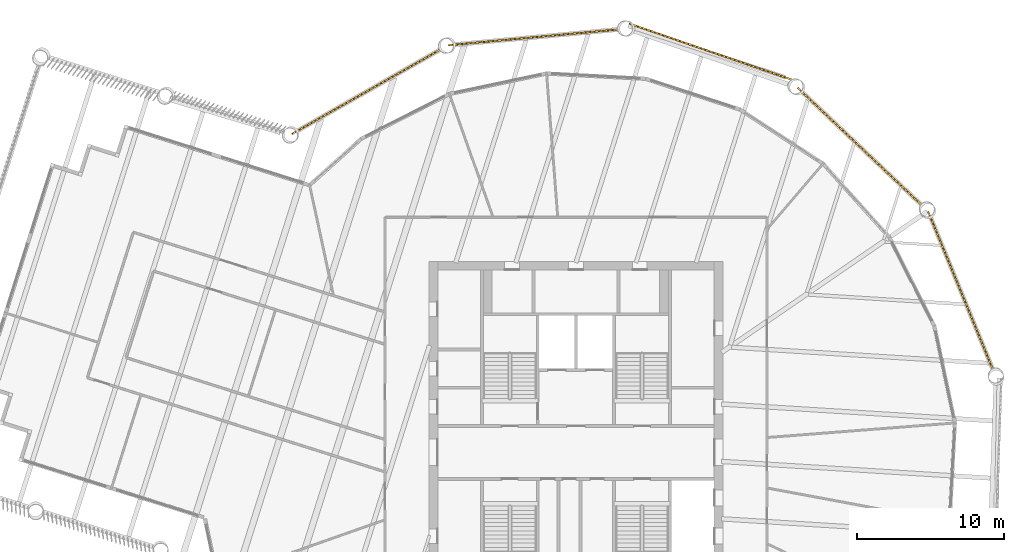
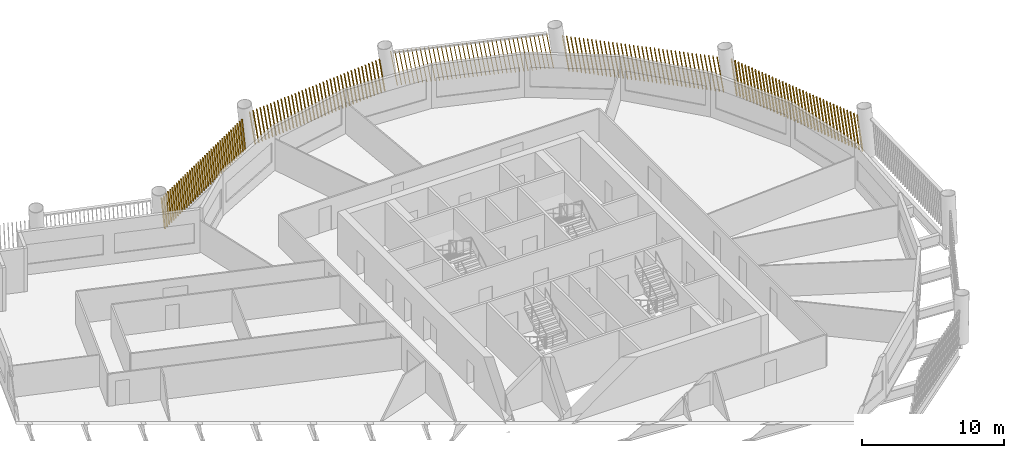
# One storey, part 14 of 15: 5 shading devices.
"""IFC4 building model written with IfcOpenShell, lengths in metres."""

from ifc_helpers import new_model, si_unit, direction, frame, frame_2d, origin, place, context, subcontext, project, spatial, rectangle, composite_profile, extrude, material, type_object, element, save


model = new_model("IFC4")

# Units and contexts
model_context = context("Model", 3, precision=1e-05, world=origin(), true_north=direction((0.0, 1.0)))
body_context = subcontext(model_context, "Body", "Model", "MODEL_VIEW")
ifc_project = project(units=[si_unit("LENGTHUNIT", "METRE"), si_unit("AREAUNIT", "SQUARE_METRE"), si_unit("VOLUMEUNIT", "CUBIC_METRE"), si_unit("PLANEANGLEUNIT", "RADIAN"), si_unit("MASSUNIT", "GRAM", prefix="KILO")], contexts=[model_context])

# Site, building, storey
site_placement = place(None, origin())
site = spatial("IfcSite", under=ifc_project, at=site_placement, CompositionType="ELEMENT")
building_placement = place(site_placement, origin())
building = spatial("IfcBuilding", under=site, at=building_placement, Name="Tarsis Ring Headquarters", CompositionType="ELEMENT")
storey_placement = place(building_placement, frame((0.0, 0.0, 212.10009765625)))
storey = spatial("IfcBuildingStorey", under=building, at=storey_placement, Name="L49", CompositionType="ELEMENT", Elevation=212.10009765625)

# Shading devices
ifc_material = material(Name="Terracotta baguette", Category="masonry")
shading_device_type = type_object("IfcShadingDeviceType", Name="Terracotta baguette screen", PredefinedType="USERDEFINED", material=ifc_material)
shading_device_1_placement = place(storey_placement, frame((28.4091796875, 5.5556640625, 0.0), z_axis=(0.0, 0.0, 1.0), x_axis=(-0.378960847296, 0.925405851202, 0.0)))
element("IfcShadingDevice", 1, at=shading_device_1_placement, inside=storey, type_object=shading_device_type, Name="Baguette screen L49-10", ObjectType="Terracotta baguette screen", PredefinedType="USERDEFINED", context=body_context, shape_type="SweptSolid", body=[
    extrude(composite_profile([rectangle(XDim=0.06005859375, YDim=0.1201171875, at=frame_2d((0.030029296875, 0.0))), rectangle(XDim=0.06005859375, YDim=0.1201171875, at=frame_2d((0.33251953125, 0.0))), rectangle(XDim=0.06005859375, YDim=0.1201171875, at=frame_2d((0.634765625, 0.0))), rectangle(XDim=0.06005859375, YDim=0.1201171875, at=frame_2d((0.937255859375, 0.0))), rectangle(XDim=0.06005859375, YDim=0.1201171875, at=frame_2d((1.239501953125, 0.0))), rectangle(XDim=0.06005859375, YDim=0.1201171875, at=frame_2d((1.5419921875, 0.0))), rectangle(XDim=0.06005859375, YDim=0.1201171875, at=frame_2d((1.844482421875, 0.0))), rectangle(XDim=0.06005859375, YDim=0.1201171875, at=frame_2d((2.146728515625, 0.0))), rectangle(XDim=0.06005859375, YDim=0.1201171875, at=frame_2d((2.44921875, 0.0))), rectangle(XDim=0.06005859375, YDim=0.1201171875, at=frame_2d((2.751708984375, 0.0))), rectangle(XDim=0.06005859375, YDim=0.1201171875, at=frame_2d((3.053955078125, 0.0))), rectangle(XDim=0.06005859375, YDim=0.1201171875, at=frame_2d((3.3564453125, 0.0))), rectangle(XDim=0.06005859375, YDim=0.1201171875, at=frame_2d((3.65869140625, 0.0))), rectangle(XDim=0.06005859375, YDim=0.1201171875, at=frame_2d((3.961181640625, 0.0))), rectangle(XDim=0.06005859375, YDim=0.1201171875, at=frame_2d((4.263671875, 0.0))), rectangle(XDim=0.06005859375, YDim=0.1201171875, at=frame_2d((4.56591796875, 0.0))), rectangle(XDim=0.06005859375, YDim=0.1201171875, at=frame_2d((4.868408203125, 0.0))), rectangle(XDim=0.06005859375, YDim=0.1201171875, at=frame_2d((5.1708984375, 0.0))), rectangle(XDim=0.06005859375, YDim=0.1201171875, at=frame_2d((5.47314453125, 0.0))), rectangle(XDim=0.06005859375, YDim=0.1201171875, at=frame_2d((5.775634765625, 0.0))), rectangle(XDim=0.06005859375, YDim=0.1201171875, at=frame_2d((6.077880859375, 0.0))), rectangle(XDim=0.06005859375, YDim=0.1201171875, at=frame_2d((6.38037109375, 0.0))), rectangle(XDim=0.06005859375, YDim=0.1201171875, at=frame_2d((6.682861328125, 0.0))), rectangle(XDim=0.06005859375, YDim=0.1201171875, at=frame_2d((6.985107421875, 0.0))), rectangle(XDim=0.06005859375, YDim=0.1201171875, at=frame_2d((7.28759765625, 0.0))), rectangle(XDim=0.06005859375, YDim=0.1201171875, at=frame_2d((7.590087890625, 0.0))), rectangle(XDim=0.06005859375, YDim=0.1201171875, at=frame_2d((7.892333984375, 0.0))), rectangle(XDim=0.06005859375, YDim=0.1201171875, at=frame_2d((8.19482421875, 0.0))), rectangle(XDim=0.06005859375, YDim=0.1201171875, at=frame_2d((8.4970703125, 0.0))), rectangle(XDim=0.06005859375, YDim=0.1201171875, at=frame_2d((8.799560546875, 0.0))), rectangle(XDim=0.06005859375, YDim=0.1201171875, at=frame_2d((9.10205078125, 0.0))), rectangle(XDim=0.06005859375, YDim=0.1201171875, at=frame_2d((9.404296875, 0.0))), rectangle(XDim=0.06005859375, YDim=0.1201171875, at=frame_2d((9.706787109375, 0.0))), rectangle(XDim=0.06005859375, YDim=0.1201171875, at=frame_2d((10.00927734375, 0.0))), rectangle(XDim=0.06005859375, YDim=0.1201171875, at=frame_2d((10.3115234375, 0.0))), rectangle(XDim=0.06005859375, YDim=0.1201171875, at=frame_2d((10.614013671875, 0.0))), rectangle(XDim=0.06005859375, YDim=0.1201171875, at=frame_2d((10.916259765625, 0.0))), rectangle(XDim=0.06005859375, YDim=0.1201171875, at=frame_2d((11.21875, 0.0)))]), origin(), (0.15921537389, 0.001332028996, 0.987242974356), 2.988037109375),
])
shading_device_2_placement = place(storey_placement, frame((23.593505859375, 16.771728515625, 0.0), z_axis=(0.0, 0.0, 1.0), x_axis=(-0.726706456864, 0.686945198047, 0.0)))
element("IfcShadingDevice", 2, at=shading_device_2_placement, inside=storey, type_object=shading_device_type, Name="Baguette screen L49-11", ObjectType="Terracotta baguette screen", PredefinedType="USERDEFINED", context=body_context, shape_type="SweptSolid", body=[
    extrude(composite_profile([rectangle(XDim=0.06005859375, YDim=0.1201171875, at=frame_2d((0.030029296875, 0.0))), rectangle(XDim=0.06005859375, YDim=0.1201171875, at=frame_2d((0.33251953125, 0.0))), rectangle(XDim=0.06005859375, YDim=0.1201171875, at=frame_2d((0.634765625, 0.0))), rectangle(XDim=0.06005859375, YDim=0.1201171875, at=frame_2d((0.937255859375, 0.0))), rectangle(XDim=0.06005859375, YDim=0.1201171875, at=frame_2d((1.239501953125, 0.0))), rectangle(XDim=0.06005859375, YDim=0.1201171875, at=frame_2d((1.5419921875, 0.0))), rectangle(XDim=0.06005859375, YDim=0.1201171875, at=frame_2d((1.844482421875, 0.0))), rectangle(XDim=0.06005859375, YDim=0.1201171875, at=frame_2d((2.146728515625, 0.0))), rectangle(XDim=0.06005859375, YDim=0.1201171875, at=frame_2d((2.44921875, 0.0))), rectangle(XDim=0.06005859375, YDim=0.1201171875, at=frame_2d((2.751708984375, 0.0))), rectangle(XDim=0.06005859375, YDim=0.1201171875, at=frame_2d((3.053955078125, 0.0))), rectangle(XDim=0.06005859375, YDim=0.1201171875, at=frame_2d((3.3564453125, 0.0))), rectangle(XDim=0.06005859375, YDim=0.1201171875, at=frame_2d((3.65869140625, 0.0))), rectangle(XDim=0.06005859375, YDim=0.1201171875, at=frame_2d((3.961181640625, 0.0))), rectangle(XDim=0.06005859375, YDim=0.1201171875, at=frame_2d((4.263671875, 0.0))), rectangle(XDim=0.06005859375, YDim=0.1201171875, at=frame_2d((4.56591796875, 0.0))), rectangle(XDim=0.06005859375, YDim=0.1201171875, at=frame_2d((4.868408203125, 0.0))), rectangle(XDim=0.06005859375, YDim=0.1201171875, at=frame_2d((5.1708984375, 0.0))), rectangle(XDim=0.06005859375, YDim=0.1201171875, at=frame_2d((5.47314453125, 0.0))), rectangle(XDim=0.06005859375, YDim=0.1201171875, at=frame_2d((5.775634765625, 0.0))), rectangle(XDim=0.06005859375, YDim=0.1201171875, at=frame_2d((6.077880859375, 0.0))), rectangle(XDim=0.06005859375, YDim=0.1201171875, at=frame_2d((6.38037109375, 0.0))), rectangle(XDim=0.06005859375, YDim=0.1201171875, at=frame_2d((6.682861328125, 0.0))), rectangle(XDim=0.06005859375, YDim=0.1201171875, at=frame_2d((6.985107421875, 0.0))), rectangle(XDim=0.06005859375, YDim=0.1201171875, at=frame_2d((7.28759765625, 0.0))), rectangle(XDim=0.06005859375, YDim=0.1201171875, at=frame_2d((7.590087890625, 0.0))), rectangle(XDim=0.06005859375, YDim=0.1201171875, at=frame_2d((7.892333984375, 0.0))), rectangle(XDim=0.06005859375, YDim=0.1201171875, at=frame_2d((8.19482421875, 0.0))), rectangle(XDim=0.06005859375, YDim=0.1201171875, at=frame_2d((8.4970703125, 0.0))), rectangle(XDim=0.06005859375, YDim=0.1201171875, at=frame_2d((8.799560546875, 0.0))), rectangle(XDim=0.06005859375, YDim=0.1201171875, at=frame_2d((9.10205078125, 0.0))), rectangle(XDim=0.06005859375, YDim=0.1201171875, at=frame_2d((9.404296875, 0.0))), rectangle(XDim=0.06005859375, YDim=0.1201171875, at=frame_2d((9.706787109375, 0.0))), rectangle(XDim=0.06005859375, YDim=0.1201171875, at=frame_2d((10.00927734375, 0.0))), rectangle(XDim=0.06005859375, YDim=0.1201171875, at=frame_2d((10.3115234375, 0.0))), rectangle(XDim=0.06005859375, YDim=0.1201171875, at=frame_2d((10.614013671875, 0.0))), rectangle(XDim=0.06005859375, YDim=0.1201171875, at=frame_2d((10.916259765625, 0.0))), rectangle(XDim=0.06005859375, YDim=0.1201171875, at=frame_2d((11.21875, 0.0)))]), origin(), (0.159216228738, 0.001334135553, 0.987242833648), 2.988037109375),
])
shading_device_3_placement = place(storey_placement, frame((14.705322265625, 25.360107421875, 0.0), z_axis=(0.0, 0.0, 1.0), x_axis=(-0.945263157895, 0.326337493218, 0.0)))
element("IfcShadingDevice", 3, at=shading_device_3_placement, inside=storey, type_object=shading_device_type, Name="Baguette screen L49-12", ObjectType="Terracotta baguette screen", PredefinedType="USERDEFINED", context=body_context, shape_type="SweptSolid", body=[
    extrude(composite_profile([rectangle(XDim=0.06005859375, YDim=0.1201171875, at=frame_2d((0.030029296875, 0.0))), rectangle(XDim=0.06005859375, YDim=0.1201171875, at=frame_2d((0.33251953125, 0.0))), rectangle(XDim=0.06005859375, YDim=0.1201171875, at=frame_2d((0.634765625, 0.0))), rectangle(XDim=0.06005859375, YDim=0.1201171875, at=frame_2d((0.937255859375, 0.0))), rectangle(XDim=0.06005859375, YDim=0.1201171875, at=frame_2d((1.239501953125, 0.0))), rectangle(XDim=0.06005859375, YDim=0.1201171875, at=frame_2d((1.5419921875, 0.0))), rectangle(XDim=0.06005859375, YDim=0.1201171875, at=frame_2d((1.844482421875, 0.0))), rectangle(XDim=0.06005859375, YDim=0.1201171875, at=frame_2d((2.146728515625, 0.0))), rectangle(XDim=0.06005859375, YDim=0.1201171875, at=frame_2d((2.44921875, 0.0))), rectangle(XDim=0.06005859375, YDim=0.1201171875, at=frame_2d((2.751708984375, 0.0))), rectangle(XDim=0.06005859375, YDim=0.1201171875, at=frame_2d((3.053955078125, 0.0))), rectangle(XDim=0.06005859375, YDim=0.1201171875, at=frame_2d((3.3564453125, 0.0))), rectangle(XDim=0.06005859375, YDim=0.1201171875, at=frame_2d((3.65869140625, 0.0))), rectangle(XDim=0.06005859375, YDim=0.1201171875, at=frame_2d((3.961181640625, 0.0))), rectangle(XDim=0.06005859375, YDim=0.1201171875, at=frame_2d((4.263671875, 0.0))), rectangle(XDim=0.06005859375, YDim=0.1201171875, at=frame_2d((4.56591796875, 0.0))), rectangle(XDim=0.06005859375, YDim=0.1201171875, at=frame_2d((4.868408203125, 0.0))), rectangle(XDim=0.06005859375, YDim=0.1201171875, at=frame_2d((5.1708984375, 0.0))), rectangle(XDim=0.06005859375, YDim=0.1201171875, at=frame_2d((5.47314453125, 0.0))), rectangle(XDim=0.06005859375, YDim=0.1201171875, at=frame_2d((5.775634765625, 0.0))), rectangle(XDim=0.06005859375, YDim=0.1201171875, at=frame_2d((6.077880859375, 0.0))), rectangle(XDim=0.06005859375, YDim=0.1201171875, at=frame_2d((6.38037109375, 0.0))), rectangle(XDim=0.06005859375, YDim=0.1201171875, at=frame_2d((6.682861328125, 0.0))), rectangle(XDim=0.06005859375, YDim=0.1201171875, at=frame_2d((6.985107421875, 0.0))), rectangle(XDim=0.06005859375, YDim=0.1201171875, at=frame_2d((7.28759765625, 0.0))), rectangle(XDim=0.06005859375, YDim=0.1201171875, at=frame_2d((7.590087890625, 0.0))), rectangle(XDim=0.06005859375, YDim=0.1201171875, at=frame_2d((7.892333984375, 0.0))), rectangle(XDim=0.06005859375, YDim=0.1201171875, at=frame_2d((8.19482421875, 0.0))), rectangle(XDim=0.06005859375, YDim=0.1201171875, at=frame_2d((8.4970703125, 0.0))), rectangle(XDim=0.06005859375, YDim=0.1201171875, at=frame_2d((8.799560546875, 0.0))), rectangle(XDim=0.06005859375, YDim=0.1201171875, at=frame_2d((9.10205078125, 0.0))), rectangle(XDim=0.06005859375, YDim=0.1201171875, at=frame_2d((9.404296875, 0.0))), rectangle(XDim=0.06005859375, YDim=0.1201171875, at=frame_2d((9.706787109375, 0.0))), rectangle(XDim=0.06005859375, YDim=0.1201171875, at=frame_2d((10.00927734375, 0.0))), rectangle(XDim=0.06005859375, YDim=0.1201171875, at=frame_2d((10.3115234375, 0.0))), rectangle(XDim=0.06005859375, YDim=0.1201171875, at=frame_2d((10.614013671875, 0.0))), rectangle(XDim=0.06005859375, YDim=0.1201171875, at=frame_2d((10.916259765625, 0.0))), rectangle(XDim=0.06005859375, YDim=0.1201171875, at=frame_2d((11.21875, 0.0)))]), origin(), (0.161266299539, 0.001351310424, 0.98691000329), 2.989013671875),
])
shading_device_4_placement = place(storey_placement, frame((2.979248046875, 28.79345703125, 0.0), z_axis=(0.0, 0.0, 1.0), x_axis=(-0.995724362453, -0.092306022789, 0.0)))
element("IfcShadingDevice", 4, at=shading_device_4_placement, inside=storey, type_object=shading_device_type, Name="Baguette screen L49-13", ObjectType="Terracotta baguette screen", PredefinedType="USERDEFINED", context=body_context, shape_type="SweptSolid", body=[
    extrude(composite_profile([rectangle(XDim=0.06005859375, YDim=0.1201171875, at=frame_2d((0.030029296875, 0.0))), rectangle(XDim=0.06005859375, YDim=0.1201171875, at=frame_2d((0.33251953125, 0.0))), rectangle(XDim=0.06005859375, YDim=0.1201171875, at=frame_2d((0.634765625, 0.0))), rectangle(XDim=0.06005859375, YDim=0.1201171875, at=frame_2d((0.937255859375, 0.0))), rectangle(XDim=0.06005859375, YDim=0.1201171875, at=frame_2d((1.239501953125, 0.0))), rectangle(XDim=0.06005859375, YDim=0.1201171875, at=frame_2d((1.5419921875, 0.0))), rectangle(XDim=0.06005859375, YDim=0.1201171875, at=frame_2d((1.844482421875, 0.0))), rectangle(XDim=0.06005859375, YDim=0.1201171875, at=frame_2d((2.146728515625, 0.0))), rectangle(XDim=0.06005859375, YDim=0.1201171875, at=frame_2d((2.44921875, 0.0))), rectangle(XDim=0.06005859375, YDim=0.1201171875, at=frame_2d((2.751708984375, 0.0))), rectangle(XDim=0.06005859375, YDim=0.1201171875, at=frame_2d((3.053955078125, 0.0))), rectangle(XDim=0.06005859375, YDim=0.1201171875, at=frame_2d((3.3564453125, 0.0))), rectangle(XDim=0.06005859375, YDim=0.1201171875, at=frame_2d((3.65869140625, 0.0))), rectangle(XDim=0.06005859375, YDim=0.1201171875, at=frame_2d((3.961181640625, 0.0))), rectangle(XDim=0.06005859375, YDim=0.1201171875, at=frame_2d((4.263671875, 0.0))), rectangle(XDim=0.06005859375, YDim=0.1201171875, at=frame_2d((4.56591796875, 0.0))), rectangle(XDim=0.06005859375, YDim=0.1201171875, at=frame_2d((4.868408203125, 0.0))), rectangle(XDim=0.06005859375, YDim=0.1201171875, at=frame_2d((5.1708984375, 0.0))), rectangle(XDim=0.06005859375, YDim=0.1201171875, at=frame_2d((5.47314453125, 0.0))), rectangle(XDim=0.06005859375, YDim=0.1201171875, at=frame_2d((5.775634765625, 0.0))), rectangle(XDim=0.06005859375, YDim=0.1201171875, at=frame_2d((6.077880859375, 0.0))), rectangle(XDim=0.06005859375, YDim=0.1201171875, at=frame_2d((6.38037109375, 0.0))), rectangle(XDim=0.06005859375, YDim=0.1201171875, at=frame_2d((6.682861328125, 0.0))), rectangle(XDim=0.06005859375, YDim=0.1201171875, at=frame_2d((6.985107421875, 0.0))), rectangle(XDim=0.06005859375, YDim=0.1201171875, at=frame_2d((7.28759765625, 0.0))), rectangle(XDim=0.06005859375, YDim=0.1201171875, at=frame_2d((7.590087890625, 0.0))), rectangle(XDim=0.06005859375, YDim=0.1201171875, at=frame_2d((7.892333984375, 0.0))), rectangle(XDim=0.06005859375, YDim=0.1201171875, at=frame_2d((8.19482421875, 0.0))), rectangle(XDim=0.06005859375, YDim=0.1201171875, at=frame_2d((8.4970703125, 0.0))), rectangle(XDim=0.06005859375, YDim=0.1201171875, at=frame_2d((8.799560546875, 0.0))), rectangle(XDim=0.06005859375, YDim=0.1201171875, at=frame_2d((9.10205078125, 0.0))), rectangle(XDim=0.06005859375, YDim=0.1201171875, at=frame_2d((9.404296875, 0.0))), rectangle(XDim=0.06005859375, YDim=0.1201171875, at=frame_2d((9.706787109375, 0.0))), rectangle(XDim=0.06005859375, YDim=0.1201171875, at=frame_2d((10.00927734375, 0.0))), rectangle(XDim=0.06005859375, YDim=0.1201171875, at=frame_2d((10.3115234375, 0.0))), rectangle(XDim=0.06005859375, YDim=0.1201171875, at=frame_2d((10.614013671875, 0.0))), rectangle(XDim=0.06005859375, YDim=0.1201171875, at=frame_2d((10.916259765625, 0.0))), rectangle(XDim=0.06005859375, YDim=0.1201171875, at=frame_2d((11.21875, 0.0)))]), origin(), (0.159215478065, 0.001333677357, 0.98724295533), 2.988037109375),
])
shading_device_5_placement = place(storey_placement, frame((-9.15380859375, 27.461669921875, 0.0), z_axis=(0.0, 0.0, 1.0), x_axis=(-0.869169831796, -0.494519804666, 0.0)))
element("IfcShadingDevice", 5, at=shading_device_5_placement, inside=storey, type_object=shading_device_type, Name="Baguette screen L49-14", ObjectType="Terracotta baguette screen", PredefinedType="USERDEFINED", context=body_context, shape_type="SweptSolid", body=[
    extrude(composite_profile([rectangle(XDim=0.06005859375, YDim=0.1201171875, at=frame_2d((0.030029296875, 0.0))), rectangle(XDim=0.06005859375, YDim=0.1201171875, at=frame_2d((0.33251953125, 0.0))), rectangle(XDim=0.06005859375, YDim=0.1201171875, at=frame_2d((0.634765625, 0.0))), rectangle(XDim=0.06005859375, YDim=0.1201171875, at=frame_2d((0.937255859375, 0.0))), rectangle(XDim=0.06005859375, YDim=0.1201171875, at=frame_2d((1.239501953125, 0.0))), rectangle(XDim=0.06005859375, YDim=0.1201171875, at=frame_2d((1.5419921875, 0.0))), rectangle(XDim=0.06005859375, YDim=0.1201171875, at=frame_2d((1.844482421875, 0.0))), rectangle(XDim=0.06005859375, YDim=0.1201171875, at=frame_2d((2.146728515625, 0.0))), rectangle(XDim=0.06005859375, YDim=0.1201171875, at=frame_2d((2.44921875, 0.0))), rectangle(XDim=0.06005859375, YDim=0.1201171875, at=frame_2d((2.751708984375, 0.0))), rectangle(XDim=0.06005859375, YDim=0.1201171875, at=frame_2d((3.053955078125, 0.0))), rectangle(XDim=0.06005859375, YDim=0.1201171875, at=frame_2d((3.3564453125, 0.0))), rectangle(XDim=0.06005859375, YDim=0.1201171875, at=frame_2d((3.65869140625, 0.0))), rectangle(XDim=0.06005859375, YDim=0.1201171875, at=frame_2d((3.961181640625, 0.0))), rectangle(XDim=0.06005859375, YDim=0.1201171875, at=frame_2d((4.263671875, 0.0))), rectangle(XDim=0.06005859375, YDim=0.1201171875, at=frame_2d((4.56591796875, 0.0))), rectangle(XDim=0.06005859375, YDim=0.1201171875, at=frame_2d((4.868408203125, 0.0))), rectangle(XDim=0.06005859375, YDim=0.1201171875, at=frame_2d((5.1708984375, 0.0))), rectangle(XDim=0.06005859375, YDim=0.1201171875, at=frame_2d((5.47314453125, 0.0))), rectangle(XDim=0.06005859375, YDim=0.1201171875, at=frame_2d((5.775634765625, 0.0))), rectangle(XDim=0.06005859375, YDim=0.1201171875, at=frame_2d((6.077880859375, 0.0))), rectangle(XDim=0.06005859375, YDim=0.1201171875, at=frame_2d((6.38037109375, 0.0))), rectangle(XDim=0.06005859375, YDim=0.1201171875, at=frame_2d((6.682861328125, 0.0))), rectangle(XDim=0.06005859375, YDim=0.1201171875, at=frame_2d((6.985107421875, 0.0))), rectangle(XDim=0.06005859375, YDim=0.1201171875, at=frame_2d((7.28759765625, 0.0))), rectangle(XDim=0.06005859375, YDim=0.1201171875, at=frame_2d((7.590087890625, 0.0))), rectangle(XDim=0.06005859375, YDim=0.1201171875, at=frame_2d((7.892333984375, 0.0))), rectangle(XDim=0.06005859375, YDim=0.1201171875, at=frame_2d((8.19482421875, 0.0))), rectangle(XDim=0.06005859375, YDim=0.1201171875, at=frame_2d((8.4970703125, 0.0))), rectangle(XDim=0.06005859375, YDim=0.1201171875, at=frame_2d((8.799560546875, 0.0))), rectangle(XDim=0.06005859375, YDim=0.1201171875, at=frame_2d((9.10205078125, 0.0))), rectangle(XDim=0.06005859375, YDim=0.1201171875, at=frame_2d((9.404296875, 0.0))), rectangle(XDim=0.06005859375, YDim=0.1201171875, at=frame_2d((9.706787109375, 0.0))), rectangle(XDim=0.06005859375, YDim=0.1201171875, at=frame_2d((10.00927734375, 0.0))), rectangle(XDim=0.06005859375, YDim=0.1201171875, at=frame_2d((10.3115234375, 0.0))), rectangle(XDim=0.06005859375, YDim=0.1201171875, at=frame_2d((10.614013671875, 0.0))), rectangle(XDim=0.06005859375, YDim=0.1201171875, at=frame_2d((10.916259765625, 0.0))), rectangle(XDim=0.06005859375, YDim=0.1201171875, at=frame_2d((11.21875, 0.0)))]), origin(), (0.159216739064, 0.001335779858, 0.987242749122), 2.988037109375),
])

save(model, "model.ifc")
